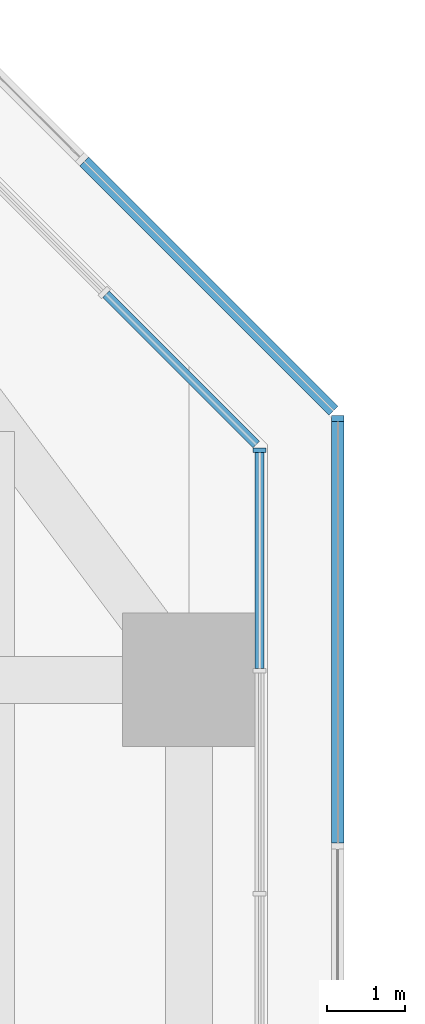
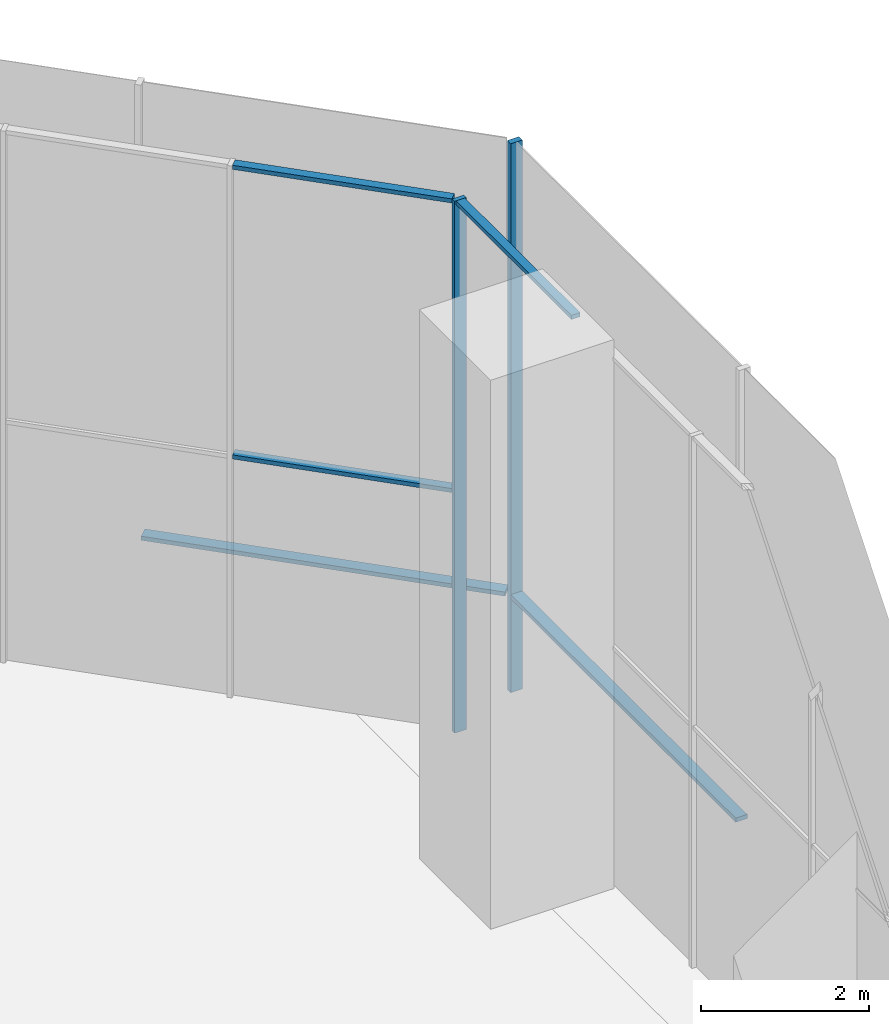
# One storey, part 13 of 25: 7 members, 4 elements without a shape of their own.
"""IFC4 building model written with IfcOpenShell, lengths in metres."""

from ifc_helpers import new_model, si_unit, direction, frame, origin, origin_2d, place, context, subcontext, project, spatial, rectangle, extrude, material, material_profile, profile_set, type_object, element, aggregate, save


model = new_model("IFC4")

# Units and contexts
model_context = context("Model", 3, precision=1e-05, world=origin(), true_north=direction((0.0, 1.0)))
body_context = subcontext(model_context, "Body", "Model", "MODEL_VIEW")
ifc_project = project(units=[si_unit("LENGTHUNIT", "METRE"), si_unit("AREAUNIT", "SQUARE_METRE"), si_unit("VOLUMEUNIT", "CUBIC_METRE"), si_unit("PLANEANGLEUNIT", "RADIAN"), si_unit("MASSUNIT", "GRAM", prefix="KILO")], contexts=[model_context])

# Site, building, storey
site_placement = place(None, origin())
site = spatial("IfcSite", under=ifc_project, at=site_placement, CompositionType="ELEMENT")
building_placement = place(site_placement, origin())
building = spatial("IfcBuilding", under=site, at=building_placement, Name="Mizan Broadcast Tower", CompositionType="ELEMENT")
storey_placement = place(building_placement, frame((0.0, 0.0, 7.0)))
storey = spatial("IfcBuildingStorey", under=building, at=storey_placement, Name="L01", CompositionType="ELEMENT", Elevation=7.0)

# Curtain wall, members
ifc_material_1 = material(Name="Aluminium framed glazing", Category="aluminium")
curtain_wall_type_1 = type_object("IfcCurtainWallType", Name="PODIUM CURTAIN WALL", PredefinedType="USERDEFINED", material=ifc_material_1)
curtain_wall_1_placement = place(storey_placement, origin())
curtain_wall_1 = element("IfcCurtainWall", 1, at=curtain_wall_1_placement, inside=storey, type_object=curtain_wall_type_1, Name="Podium curtain wall L01 N side", ObjectType="PODIUM CURTAIN WALL", PredefinedType="USERDEFINED")
ifc_material_2 = material(Name="Aluminium, pale anodised", Category="aluminium")
ifc_material_profile_1 = material_profile(ifc_material_2, rectangle(XDim=0.159912109375, YDim=0.06005859375, at=origin_2d()), Name="MULLION 160x60")
ifc_profile_set_1 = profile_set([ifc_material_profile_1], Name="Aluminium, pale anodised")
member_type_1 = type_object("IfcMemberType", Name="INNER SKIN MULLION 60x160", PredefinedType="MULLION", material=ifc_profile_set_1)
member_1_placement = place(storey_placement, frame((12.89990234375, 29.928466796875, 0.0), z_axis=(0.0, 0.0, 1.0), x_axis=(-1.0, 0.0, 0.0)))
member_1 = element("IfcMember", 2, at=member_1_placement, type_object=member_type_1, Name="Podium curtain wall L01 N side mullion 7", PredefinedType="MULLION", context=body_context, shape_type="SweptSolid", body=[
    extrude(rectangle(XDim=0.159912109375, YDim=0.06005859375, at=origin_2d()), origin(), (0.0, 0.0, 1.0), 7.75),
])
ifc_material_3 = material(Name="Aluminium, pale anodised", Category="aluminium")
ifc_material_profile_2 = material_profile(ifc_material_3, rectangle(XDim=0.1201171875, YDim=0.06005859375, at=origin_2d()), Name="TRANSOM 120x60")
ifc_profile_set_2 = profile_set([ifc_material_profile_2], Name="Aluminium, pale anodised")
member_type_2 = type_object("IfcMemberType", Name="INNER SKIN TRANSOM 60x120", PredefinedType="USERDEFINED", material=ifc_profile_set_2)
member_2_placement = place(storey_placement, frame((12.89990234375, 27.1455078125, 7.719970703125), z_axis=(0.0, 1.0, 0.0), x_axis=(-1.0, 0.0, 0.0)))
member_2 = element("IfcMember", 3, at=member_2_placement, type_object=member_type_2, Name="Podium curtain wall L01 N side transom 6.2", ObjectType="TRANSOM", PredefinedType="USERDEFINED", context=body_context, shape_type="SweptSolid", body=[
    extrude(rectangle(XDim=0.1201171875, YDim=0.06005859375, at=origin_2d()), origin(), (0.0, 0.0, 1.0), 2.753173828125),
])
aggregate(curtain_wall_1, [member_1, member_2])

curtain_wall_2_placement = place(storey_placement, origin())
curtain_wall_2 = element("IfcCurtainWall", 4, at=curtain_wall_2_placement, inside=storey, type_object=curtain_wall_type_1, Name="Podium curtain wall L01 N chamfer", ObjectType="PODIUM CURTAIN WALL", PredefinedType="USERDEFINED")
member_3_placement = place(storey_placement, frame((12.857666015625, 30.0009765625, 3.5), z_axis=(-0.707151809797, 0.707061749709, 0.0), x_axis=(-0.707061749709, -0.707151809797, 0.0)))
member_3 = element("IfcMember", 5, at=member_3_placement, type_object=member_type_2, Name="Podium curtain wall L01 N chamfer transom 1.1", ObjectType="TRANSOM", PredefinedType="USERDEFINED", context=body_context, shape_type="SweptSolid", body=[
    extrude(rectangle(XDim=0.1201171875, YDim=0.06005859375, at=origin_2d()), origin(), (0.0, 0.0, 1.0), 2.7109375),
])
member_4_placement = place(storey_placement, frame((12.857666015625, 30.0009765625, 7.719970703125), z_axis=(-0.707151809797, 0.707061749709, 0.0), x_axis=(-0.707061749709, -0.707151809797, 0.0)))
member_4 = element("IfcMember", 6, at=member_4_placement, type_object=member_type_2, Name="Podium curtain wall L01 N chamfer transom 1.2", ObjectType="TRANSOM", PredefinedType="USERDEFINED", context=body_context, shape_type="SweptSolid", body=[
    extrude(rectangle(XDim=0.1201171875, YDim=0.06005859375, at=origin_2d()), origin(), (0.0, 0.0, 1.0), 2.7109375),
])
aggregate(curtain_wall_2, [member_3, member_4])

ifc_material_4 = material(Name="Aluminium framed glazing", Category="aluminium")
curtain_wall_type_2 = type_object("IfcCurtainWallType", Name="OUTER SKIN", PredefinedType="USERDEFINED", material=ifc_material_4)
curtain_wall_3_placement = place(storey_placement, origin())
curtain_wall_3 = element("IfcCurtainWall", 7, at=curtain_wall_3_placement, inside=storey, type_object=curtain_wall_type_2, Name="Outer skin L01 N side", ObjectType="OUTER SKIN", PredefinedType="USERDEFINED")
ifc_material_5 = material(Name="Aluminium, pale anodised", Category="aluminium")
ifc_material_profile_3 = material_profile(ifc_material_5, rectangle(XDim=0.159912109375, YDim=0.080078125, at=origin_2d()), Name="MULLION 160x80")
ifc_profile_set_3 = profile_set([ifc_material_profile_3], Name="Aluminium, pale anodised")
member_type_3 = type_object("IfcMemberType", Name="OUTER SKIN MULLION 80x160", PredefinedType="MULLION", material=ifc_profile_set_3)
member_5_placement = place(storey_placement, frame((13.89990234375, 30.332763671875, 0.0), z_axis=(0.0, 0.0, 1.0), x_axis=(-1.0, 0.0, 0.0)))
member_5 = element("IfcMember", 8, at=member_5_placement, type_object=member_type_3, Name="Outer skin L01 N side mullion 4", PredefinedType="MULLION", context=body_context, shape_type="SweptSolid", body=[
    extrude(rectangle(XDim=0.159912109375, YDim=0.080078125, at=origin_2d()), origin(), (0.0, 0.0, 1.0), 8.0),
])
ifc_material_6 = material(Name="Aluminium, pale anodised", Category="aluminium")
ifc_material_profile_4 = material_profile(ifc_material_6, rectangle(XDim=0.159912109375, YDim=0.06005859375, at=origin_2d()), Name="TRANSOM 160x60")
ifc_profile_set_4 = profile_set([ifc_material_profile_4], Name="Aluminium, pale anodised")
member_type_4 = type_object("IfcMemberType", Name="OUTER SKIN TRANSOM 60x160", PredefinedType="USERDEFINED", material=ifc_profile_set_4)
member_6_placement = place(storey_placement, frame((13.89990234375, 24.921875, 1.39990234375), z_axis=(0.0, 1.0, 0.0), x_axis=(-1.0, 0.0, 0.0)))
member_6 = element("IfcMember", 9, at=member_6_placement, type_object=member_type_4, Name="Outer skin L01 N side transom 3.1", ObjectType="TRANSOM", PredefinedType="USERDEFINED", context=body_context, shape_type="SweptSolid", body=[
    extrude(rectangle(XDim=0.159912109375, YDim=0.06005859375, at=origin_2d()), origin(), (0.0, 0.0, 1.0), 5.370849609375),
])
aggregate(curtain_wall_3, [member_5, member_6])

# Curtain wall, member
curtain_wall_4_placement = place(storey_placement, origin())
curtain_wall_4 = element("IfcCurtainWall", 10, at=curtain_wall_4_placement, inside=storey, type_object=curtain_wall_type_2, Name="Outer skin L01 N chamfer", ObjectType="OUTER SKIN", PredefinedType="USERDEFINED")
member_7_placement = place(storey_placement, frame((13.843505859375, 30.429443359375, 1.39990234375), z_axis=(-0.707106781187, 0.707106781187, 0.0), x_axis=(-0.707106781187, -0.707106781187, 0.0)))
member_7 = element("IfcMember", 11, at=member_7_placement, type_object=member_type_4, Name="Outer skin L01 N chamfer transom 1.1", ObjectType="TRANSOM", PredefinedType="USERDEFINED", context=body_context, shape_type="SweptSolid", body=[
    extrude(rectangle(XDim=0.159912109375, YDim=0.06005859375, at=origin_2d()), origin(), (0.0, 0.0, 1.0), 4.495361328125),
])
aggregate(curtain_wall_4, [member_7])

save(model, "model.ifc")
